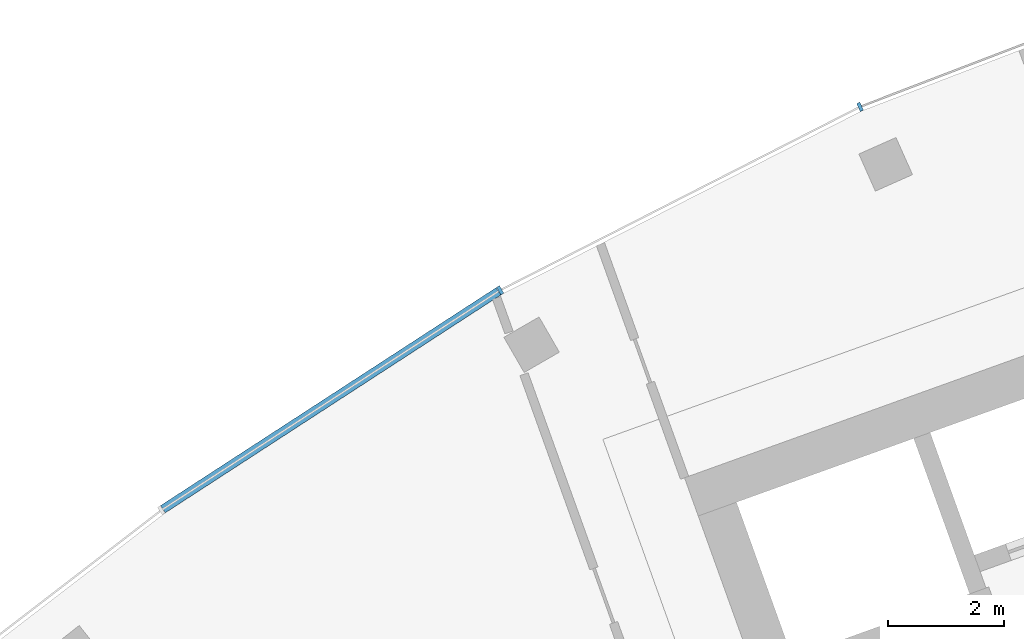
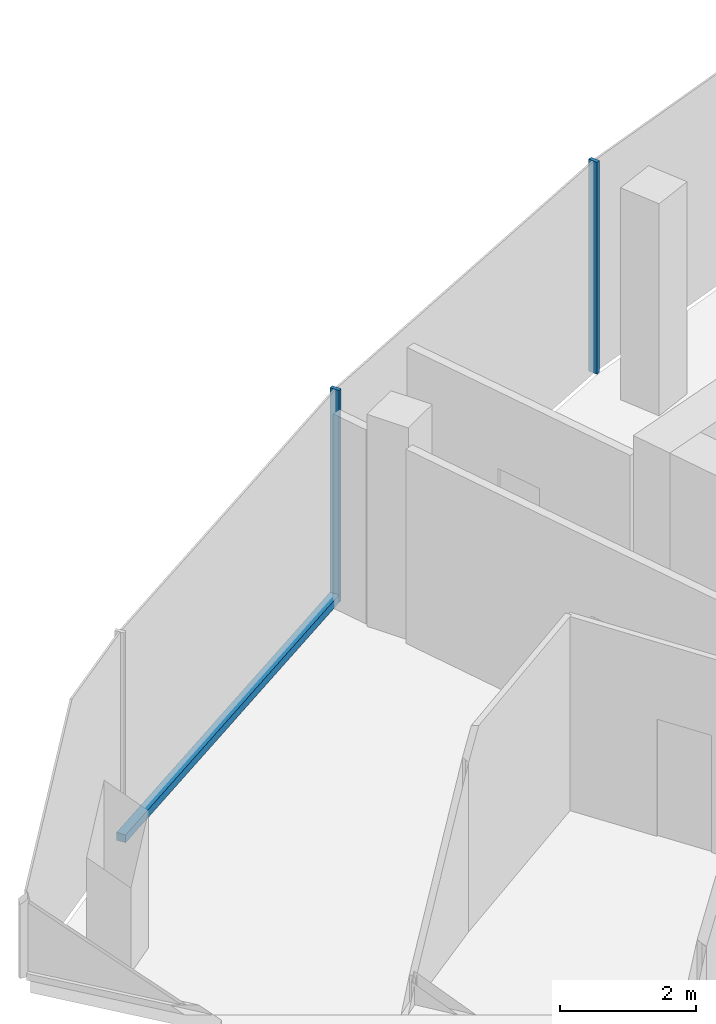
# One storey, part 4 of 18: 3 members, 1 element without a shape of its own.
"""IFC4 building model written with IfcOpenShell, lengths in metres."""

from ifc_helpers import new_model, si_unit, direction, frame, origin, origin_2d, place, context, subcontext, project, spatial, rectangle, extrude, material, layer, layer_set, material_profile, profile_set, type_object, element, aggregate, save


model = new_model("IFC4")

# Units and contexts
model_context = context("Model", 3, precision=1e-05, world=origin(), true_north=direction((0.0, 1.0)))
body_context = subcontext(model_context, "Body", "Model", "MODEL_VIEW")
ifc_project = project(units=[si_unit("LENGTHUNIT", "METRE"), si_unit("AREAUNIT", "SQUARE_METRE"), si_unit("VOLUMEUNIT", "CUBIC_METRE"), si_unit("PLANEANGLEUNIT", "RADIAN"), si_unit("MASSUNIT", "GRAM", prefix="KILO")], contexts=[model_context])

# Site, building, storey
site_placement = place(None, origin())
site = spatial("IfcSite", under=ifc_project, at=site_placement, CompositionType="ELEMENT")
building_placement = place(site_placement, origin())
building = spatial("IfcBuilding", under=site, at=building_placement, Name="Stone Belt Terrace Tower", CompositionType="ELEMENT")
storey_placement = place(building_placement, frame((0.0, 0.0, 277.0)))
storey = spatial("IfcBuildingStorey", under=building, at=storey_placement, Name="L67", CompositionType="ELEMENT", Elevation=277.0)

# Curtain wall, members
ifc_material = material(Name="Aluminium 6063-T6 anodised frame", Category="aluminium")
ifc_layer = layer(ifc_material, 0.14990234375)
ifc_layer_set = layer_set([ifc_layer], Name="CW-A unitised convex-face curtain wall")
curtain_wall_type = type_object("IfcCurtainWallType", Name="CW-A unitised convex-face curtain wall", PredefinedType="NOTDEFINED", material=ifc_layer_set)
curtain_wall_placement = place(storey_placement, origin())
curtain_wall = element("IfcCurtainWall", 1, at=curtain_wall_placement, inside=storey, type_object=curtain_wall_type, Name="CW-A convex face L67", PredefinedType="NOTDEFINED")
ifc_material_profile_1 = material_profile(ifc_material, rectangle(XDim=0.14990234375, YDim=0.06005859375, at=origin_2d()), Name="Aluminium 6063-T6 60x150")
ifc_profile_set_1 = profile_set([ifc_material_profile_1], Name="Aluminium 6063-T6 anodised frame")
member_type_1 = type_object("IfcMemberType", Name="CW-A mullion 60 x 150", PredefinedType="MULLION", material=ifc_profile_set_1)
member_1_placement = place(storey_placement, frame((-27.07861328125, 60.8193359375, 0.0), z_axis=(0.0, 0.0, 1.0), x_axis=(0.406736643076, -0.913545457643, 0.0)))
member_1 = element("IfcMember", 2, at=member_1_placement, type_object=member_type_1, Name="CW-A mullion 12", PredefinedType="MULLION", context=body_context, shape_type="SweptSolid", body=[
    extrude(rectangle(XDim=0.14990234375, YDim=0.06005859375, at=origin_2d()), origin(), (0.0, 0.0, 1.0), 3.800048828125),
])
member_2_placement = place(storey_placement, frame((-33.28759765625, 57.65576171875, 0.0), z_axis=(0.0, 0.0, 1.0), x_axis=(0.5, -0.866025403784, 0.0)))
member_2 = element("IfcMember", 3, at=member_2_placement, type_object=member_type_1, Name="CW-A mullion 13", PredefinedType="MULLION", context=body_context, shape_type="SweptSolid", body=[
    extrude(rectangle(XDim=0.14990234375, YDim=0.06005859375, at=origin_2d()), origin(), (0.0, 0.0, 1.0), 3.800048828125),
])
ifc_material_profile_2 = material_profile(ifc_material, rectangle(XDim=0.14990234375, YDim=0.139892578125, at=origin_2d()), Name="Aluminium 6063-T6 150x140")
ifc_profile_set_2 = profile_set([ifc_material_profile_2], Name="Aluminium 6063-T6 anodised frame")
member_type_2 = type_object("IfcMemberType", Name="CW-A transom 140 x 150", PredefinedType="USERDEFINED", material=ifc_profile_set_2)
member_3_placement = place(storey_placement, frame((-33.31591796875, 57.63720703125, 0.070068359375), z_axis=(-0.83868440714, -0.544617723931, 0.0), x_axis=(0.544617723931, -0.83868440714, 0.0)))
member_3 = element("IfcMember", 4, at=member_3_placement, type_object=member_type_2, Name="CW-A transom 13.1", ObjectType="TRANSOM", PredefinedType="USERDEFINED", context=body_context, shape_type="SweptSolid", body=[
    extrude(rectangle(XDim=0.14990234375, YDim=0.139892578125, at=origin_2d()), origin(), (0.0, 0.0, 1.0), 6.90087890625),
])
aggregate(curtain_wall, [member_1, member_2, member_3])

save(model, "model.ifc")
